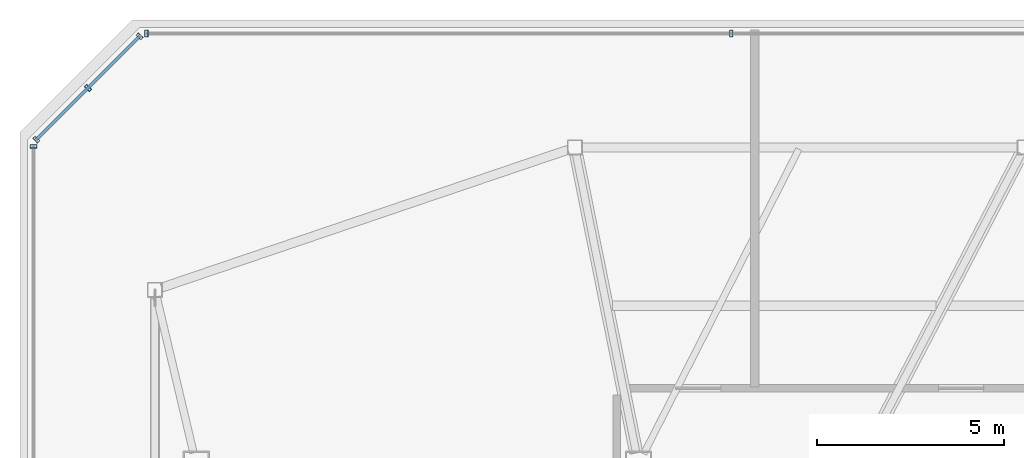
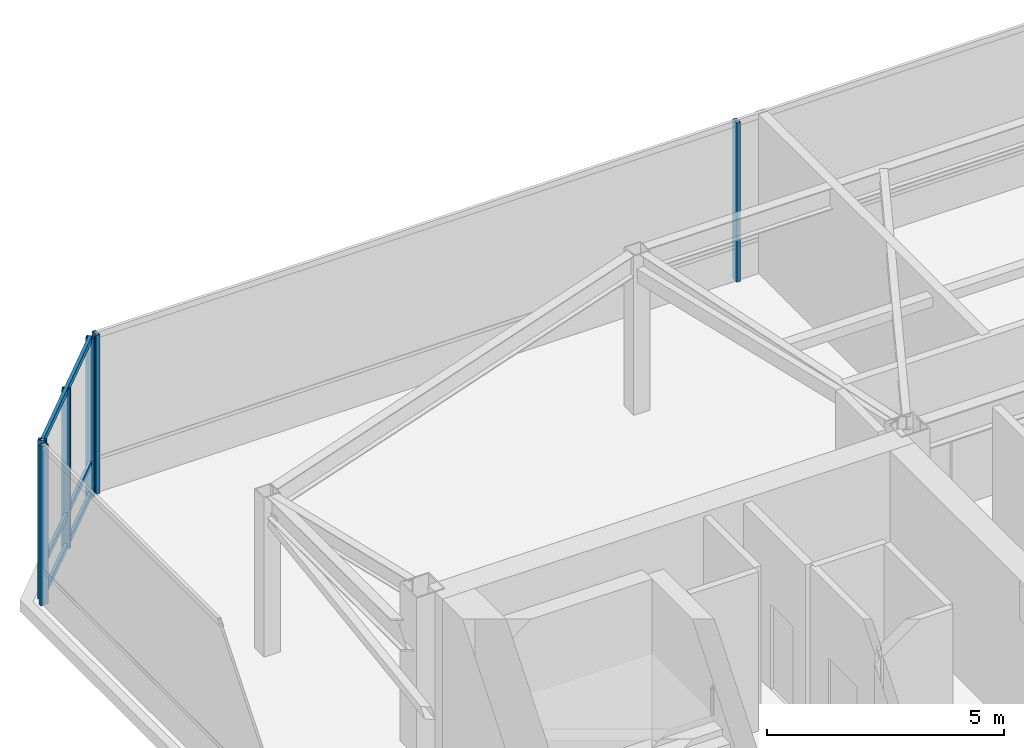
# One storey, part 13 of 21: 9 members, 3 elements without a shape of their own.
"""IFC4 building model written with IfcOpenShell, lengths in metres."""

from ifc_helpers import new_model, si_unit, direction, frame, origin, origin_2d, place, context, subcontext, project, spatial, hollow_rectangle, extrude, material, layer, layer_set, material_profile, profile_set, type_object, element, aggregate, save


model = new_model("IFC4")

# Units and contexts
model_context = context("Model", 3, precision=1e-05, world=origin(), true_north=direction((0.0, 1.0)))
body_context = subcontext(model_context, "Body", "Model", "MODEL_VIEW")
ifc_project = project(units=[si_unit("LENGTHUNIT", "METRE"), si_unit("AREAUNIT", "SQUARE_METRE"), si_unit("VOLUMEUNIT", "CUBIC_METRE"), si_unit("PLANEANGLEUNIT", "RADIAN"), si_unit("MASSUNIT", "GRAM", prefix="KILO")], contexts=[model_context])

# Site, building, storey
site_placement = place(None, origin())
site = spatial("IfcSite", under=ifc_project, at=site_placement, CompositionType="ELEMENT")
building_placement = place(site_placement, origin())
building = spatial("IfcBuilding", under=site, at=building_placement, Name="Tavrogorsk Clinical Tower", CompositionType="ELEMENT")
storey_placement = place(building_placement, frame((0.0, 0.0, 344.199951171875)))
storey = spatial("IfcBuildingStorey", under=building, at=storey_placement, Name="L80", CompositionType="ELEMENT", Elevation=344.199951171875)

# Curtain wall, member
ifc_material_1 = material(Name="Anodised aluminium and triple IGU glazing", Category="aluminium")
ifc_layer = layer(ifc_material_1, 0.179931640625)
ifc_layer_set = layer_set([ifc_layer], Name="Anodised aluminium and triple IGU glazing")
curtain_wall_type = type_object("IfcCurtainWallType", Name="CW5_SkyLobby", PredefinedType="NOTDEFINED", material=ifc_layer_set)
curtain_wall_1_placement = place(storey_placement, origin())
curtain_wall_1 = element("IfcCurtainWall", 1, at=curtain_wall_1_placement, inside=storey, type_object=curtain_wall_type, Name="L80 Curtain Wall CW-L80-DRUM-2", PredefinedType="NOTDEFINED")
ifc_material_2 = material(Name="Anodised aluminium alloy AW-6060", Category="aluminium")
ifc_material_profile_1 = material_profile(ifc_material_2, hollow_rectangle(XDim=0.090087890625, YDim=0.179931640625, WallThickness=0.00634765625, at=origin_2d()), Name="RHS-180x90x6.3")
ifc_profile_set_1 = profile_set([ifc_material_profile_1], Name="Anodised aluminium alloy AW-6060")
member_type_1 = type_object("IfcMemberType", Name="CwMullion_180x90", PredefinedType="MULLION", material=ifc_profile_set_1)
member_1_placement = place(storey_placement, frame((-26.43994140625, 14.82861328125, 0.0), z_axis=(0.0, 0.0, 1.0), x_axis=(0.0, 1.0, 0.0)))
member_1 = element("IfcMember", 2, at=member_1_placement, type_object=member_type_1, Name="CW-L80-DRUM-2 Mullion 4", PredefinedType="MULLION", context=body_context, shape_type="SweptSolid", body=[
    extrude(hollow_rectangle(XDim=0.090087890625, YDim=0.179931640625, WallThickness=0.00634765625, at=origin_2d()), origin(), (0.0, 0.0, 1.0), 4.10009765625),
])
aggregate(curtain_wall_1, [member_1])

# Curtain wall, members
curtain_wall_2_placement = place(storey_placement, origin())
curtain_wall_2 = element("IfcCurtainWall", 3, at=curtain_wall_2_placement, inside=storey, type_object=curtain_wall_type, Name="L80 Curtain Wall CW-L80-DRUM-3", PredefinedType="NOTDEFINED")
member_2_placement = place(storey_placement, frame((-26.36572265625, 15.008056640625, 0.0), z_axis=(0.0, 0.0, 1.0), x_axis=(0.707106781187, 0.707106781187, 0.0)))
member_2 = element("IfcMember", 4, at=member_2_placement, type_object=member_type_1, Name="CW-L80-DRUM-3 Mullion 1", PredefinedType="MULLION", context=body_context, shape_type="SweptSolid", body=[
    extrude(hollow_rectangle(XDim=0.090087890625, YDim=0.179931640625, WallThickness=0.00634765625, at=origin_2d()), origin(), (0.0, 0.0, 1.0), 4.10009765625),
])
member_3_placement = place(storey_placement, frame((-24.98681640625, 16.386962890625, 0.0), z_axis=(0.0, 0.0, 1.0), x_axis=(0.707106781187, 0.707106781187, 0.0)))
member_3 = element("IfcMember", 5, at=member_3_placement, type_object=member_type_1, Name="CW-L80-DRUM-3 Mullion 2", PredefinedType="MULLION", context=body_context, shape_type="SweptSolid", body=[
    extrude(hollow_rectangle(XDim=0.090087890625, YDim=0.179931640625, WallThickness=0.00634765625, at=origin_2d()), origin(), (0.0, 0.0, 1.0), 4.10009765625),
])
member_4_placement = place(storey_placement, frame((-23.60791015625, 17.765869140625, 0.0), z_axis=(0.0, 0.0, 1.0), x_axis=(0.707106781187, 0.707106781187, 0.0)))
member_4 = element("IfcMember", 6, at=member_4_placement, type_object=member_type_1, Name="CW-L80-DRUM-3 Mullion 3", PredefinedType="MULLION", context=body_context, shape_type="SweptSolid", body=[
    extrude(hollow_rectangle(XDim=0.090087890625, YDim=0.179931640625, WallThickness=0.00634765625, at=origin_2d()), origin(), (0.0, 0.0, 1.0), 4.10009765625),
])

curtain_wall_3_placement = place(storey_placement, origin())
curtain_wall_3 = element("IfcCurtainWall", 7, at=curtain_wall_3_placement, inside=storey, type_object=curtain_wall_type, Name="L80 Curtain Wall CW-L80-DRUM-4", PredefinedType="NOTDEFINED")
member_5_placement = place(storey_placement, frame((-23.4287109375, 17.840087890625, 0.0), z_axis=(0.0, 0.0, 1.0), x_axis=(1.0, 0.0, 0.0)))
member_5 = element("IfcMember", 8, at=member_5_placement, type_object=member_type_1, Name="CW-L80-DRUM-4 Mullion 1", PredefinedType="MULLION", context=body_context, shape_type="SweptSolid", body=[
    extrude(hollow_rectangle(XDim=0.090087890625, YDim=0.179931640625, WallThickness=0.00634765625, at=origin_2d()), origin(), (0.0, 0.0, 1.0), 4.10009765625),
])
member_6_placement = place(storey_placement, frame((-7.824462890625, 17.840087890625, 0.0), z_axis=(0.0, 0.0, 1.0), x_axis=(1.0, 0.0, 0.0)))
member_6 = element("IfcMember", 9, at=member_6_placement, type_object=member_type_1, Name="CW-L80-DRUM-4 Mullion 2", PredefinedType="MULLION", context=body_context, shape_type="SweptSolid", body=[
    extrude(hollow_rectangle(XDim=0.090087890625, YDim=0.179931640625, WallThickness=0.00634765625, at=origin_2d()), origin(), (0.0, 0.0, 1.0), 4.10009765625),
])
aggregate(curtain_wall_3, [member_5, member_6])

# Member
ifc_material_3 = material(Name="Anodised aluminium alloy AW-6060", Category="aluminium")
ifc_material_profile_2 = material_profile(ifc_material_3, hollow_rectangle(XDim=0.074951171875, YDim=0.14990234375, WallThickness=0.0048828125, at=origin_2d()), Name="RHS-150x75x5")
ifc_profile_set_2 = profile_set([ifc_material_profile_2], Name="Anodised aluminium alloy AW-6060")
member_type_2 = type_object("IfcMemberType", Name="CwTransom_150x75", PredefinedType="USERDEFINED", material=ifc_profile_set_2)
member_7_placement = place(storey_placement, frame((-26.36572265625, 15.008056640625, 0.050048828125), z_axis=(0.707106781187, 0.707106781187, 0.0), x_axis=(-0.707106781187, 0.707106781187, 0.0)))
member_7 = element("IfcMember", 10, at=member_7_placement, type_object=member_type_2, Name="CW-L80-DRUM-3 Transom 1", ObjectType="TRANSOM", PredefinedType="USERDEFINED", context=body_context, shape_type="SweptSolid", body=[
    extrude(hollow_rectangle(XDim=0.074951171875, YDim=0.14990234375, WallThickness=0.0048828125, at=origin_2d()), origin(), (0.0, 0.0, 1.0), 3.900146484375),
])

member_8_placement = place(storey_placement, frame((-26.36572265625, 15.008056640625, 0.85009765625), z_axis=(0.707106781187, 0.707106781187, 0.0), x_axis=(-0.707106781187, 0.707106781187, 0.0)))
member_8 = element("IfcMember", 11, at=member_8_placement, type_object=member_type_2, Name="CW-L80-DRUM-3 Transom 2", ObjectType="TRANSOM", PredefinedType="USERDEFINED", context=body_context, shape_type="SweptSolid", body=[
    extrude(hollow_rectangle(XDim=0.074951171875, YDim=0.14990234375, WallThickness=0.0048828125, at=origin_2d()), origin(), (0.0, 0.0, 1.0), 3.900146484375),
])

member_9_placement = place(storey_placement, frame((-26.36572265625, 15.008056640625, 4.050048828125), z_axis=(0.707106781187, 0.707106781187, 0.0), x_axis=(-0.707106781187, 0.707106781187, 0.0)))
member_9 = element("IfcMember", 12, at=member_9_placement, type_object=member_type_2, Name="CW-L80-DRUM-3 Transom 3", ObjectType="TRANSOM", PredefinedType="USERDEFINED", context=body_context, shape_type="SweptSolid", body=[
    extrude(hollow_rectangle(XDim=0.074951171875, YDim=0.14990234375, WallThickness=0.0048828125, at=origin_2d()), origin(), (0.0, 0.0, 1.0), 3.900146484375),
])

aggregate(curtain_wall_2, [member_2, member_3, member_4, member_7, member_8, member_9])

save(model, "model.ifc")
